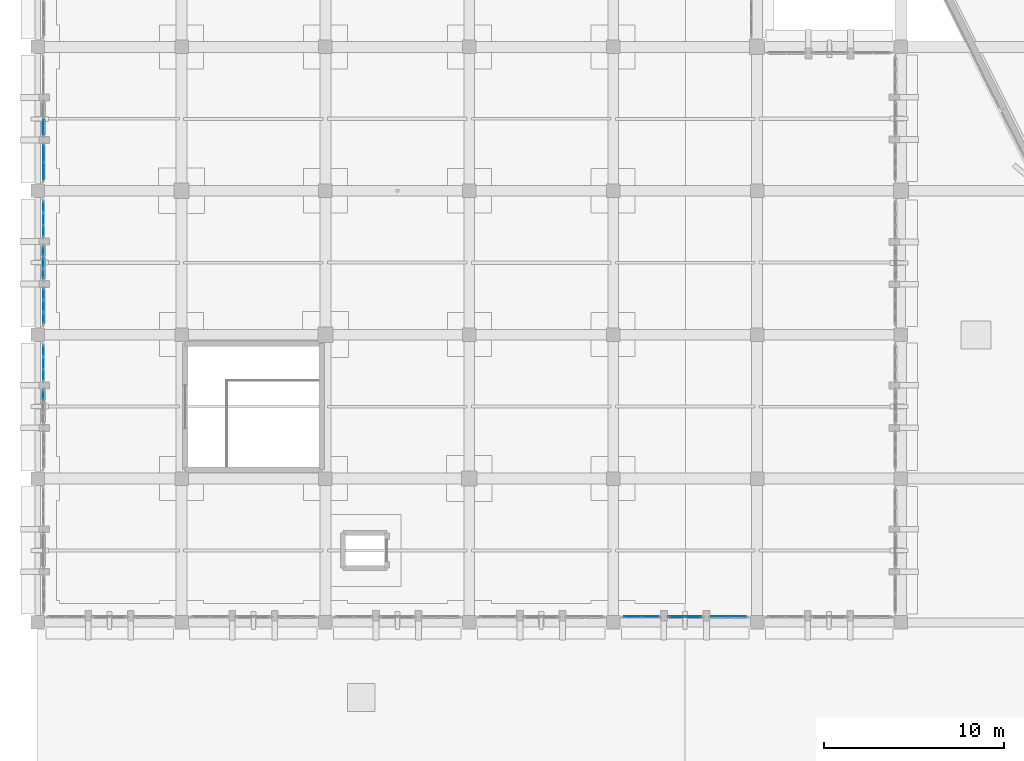
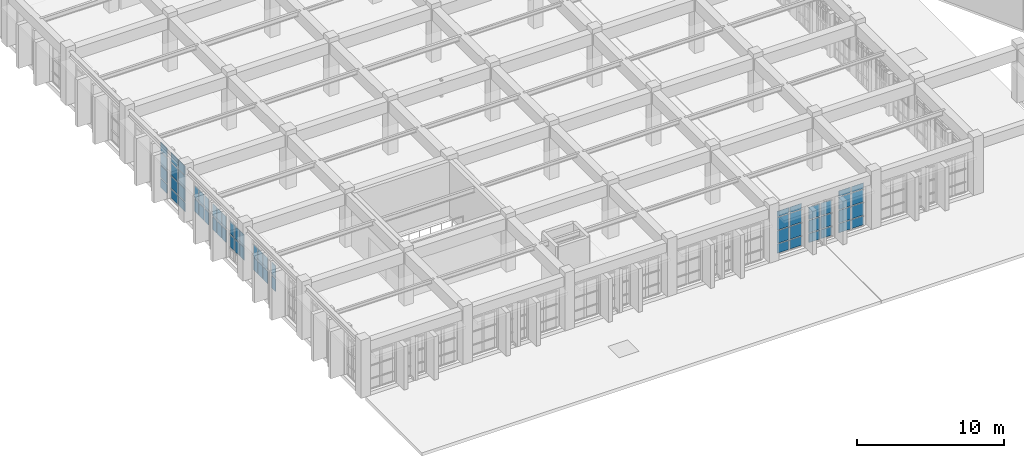
# One storey, part 86 of 155: 60 plates, 10 elements without a shape of their own.
"""IFC4 building model written with IfcOpenShell, lengths in metres."""

from ifc_helpers import new_model, si_unit, direction, frame, origin, origin_2d, place, context, subcontext, project, spatial, rectangle, extrude, material, layer, layer_set, type_object, element, aggregate, save


model = new_model("IFC4")

# Units and contexts
model_context = context("Model", 3, precision=1e-05, world=origin(), true_north=direction((0.0, 1.0)))
body_context = subcontext(model_context, "Body", "Model", "MODEL_VIEW")
ifc_project = project(units=[si_unit("LENGTHUNIT", "METRE"), si_unit("AREAUNIT", "SQUARE_METRE"), si_unit("VOLUMEUNIT", "CUBIC_METRE"), si_unit("PLANEANGLEUNIT", "RADIAN"), si_unit("MASSUNIT", "GRAM", prefix="KILO")], contexts=[model_context])

# Site, building, storey
site_placement = place(None, origin())
site = spatial("IfcSite", under=ifc_project, at=site_placement, CompositionType="ELEMENT")
building_placement = place(site_placement, origin())
building = spatial("IfcBuilding", under=site, at=building_placement, Name="Tazarka Park Arena", CompositionType="ELEMENT")
storey_placement = place(building_placement, frame((0.0, 0.0, 5.39990234375)))
storey = spatial("IfcBuildingStorey", under=building, at=storey_placement, Name="L01", CompositionType="ELEMENT", Elevation=5.39990234375)

# Curtain wall, plates
ifc_material_1 = material(Name="Aluminium and low-e glass", Category="aluminium")
ifc_layer_1 = layer(ifc_material_1, 0.179931640625, Name="Aluminium and low-e glass")
ifc_layer_set_1 = layer_set([ifc_layer_1], Name="Aluminium and low-e glass")
curtain_wall_type_1 = type_object("IfcCurtainWallType", Name="CW-03", PredefinedType="NOTDEFINED", material=ifc_layer_set_1)
curtain_wall_1_placement = place(storey_placement, origin())
curtain_wall_1 = element("IfcCurtainWall", 1, at=curtain_wall_1_placement, inside=storey, type_object=curtain_wall_type_1, Name="Curtain Wall CWA-L01-063", PredefinedType="NOTDEFINED")
ifc_material_2 = material(Name="Double low-e insulated glazing", Category="glass")
ifc_layer_2 = layer(ifc_material_2, 0.028076171875, Name="Double low-e insulated glazing")
ifc_layer_set_2 = layer_set([ifc_layer_2], Name="Double low-e insulated glazing")
plate_type_1 = type_object("IfcPlateType", Name="CWP-01", PredefinedType="CURTAIN_PANEL", material=ifc_layer_set_2)
plate_1_placement = place(storey_placement, frame((0.320068359375, 29.750244140625, 0.8828125), z_axis=(0.0, 0.0, 1.0), x_axis=(0.0, 1.0, 0.0)))
plate_1 = element("IfcPlate", 2, at=plate_1_placement, type_object=plate_type_1, Name="CW-03 panel 1.2", PredefinedType="CURTAIN_PANEL", context=body_context, shape_type="SweptSolid", body=[
    extrude(rectangle(XDim=0.5869140625, YDim=0.028076171875, at=origin_2d()), origin(), (0.0, 0.0, 1.0), 1.034912109375),
])
plate_2_placement = place(storey_placement, frame((0.320068359375, 29.750244140625, 1.982421875), z_axis=(0.0, 0.0, 1.0), x_axis=(0.0, 1.0, 0.0)))
plate_2 = element("IfcPlate", 3, at=plate_2_placement, type_object=plate_type_1, Name="CW-03 panel 1.3", PredefinedType="CURTAIN_PANEL", context=body_context, shape_type="SweptSolid", body=[
    extrude(rectangle(XDim=0.5869140625, YDim=0.028076171875, at=origin_2d()), origin(), (0.0, 0.0, 1.0), 1.034912109375),
])
plate_3_placement = place(storey_placement, frame((0.320068359375, 30.41845703125, 0.8828125), z_axis=(0.0, 0.0, 1.0), x_axis=(0.0, 1.0, 0.0)))
plate_3 = element("IfcPlate", 4, at=plate_3_placement, type_object=plate_type_1, Name="CW-03 panel 2.2", PredefinedType="CURTAIN_PANEL", context=body_context, shape_type="SweptSolid", body=[
    extrude(rectangle(XDim=0.619384765625, YDim=0.028076171875, at=origin_2d()), origin(), (0.0, 0.0, 1.0), 1.034912109375),
])
plate_4_placement = place(storey_placement, frame((0.320068359375, 30.41845703125, 1.982421875), z_axis=(0.0, 0.0, 1.0), x_axis=(0.0, 1.0, 0.0)))
plate_4 = element("IfcPlate", 5, at=plate_4_placement, type_object=plate_type_1, Name="CW-03 panel 2.3", PredefinedType="CURTAIN_PANEL", context=body_context, shape_type="SweptSolid", body=[
    extrude(rectangle(XDim=0.619384765625, YDim=0.028076171875, at=origin_2d()), origin(), (0.0, 0.0, 1.0), 1.034912109375),
])
plate_5_placement = place(storey_placement, frame((0.320068359375, 31.08642578125, 0.8828125), z_axis=(0.0, 0.0, 1.0), x_axis=(0.0, 1.0, 0.0)))
plate_5 = element("IfcPlate", 6, at=plate_5_placement, type_object=plate_type_1, Name="CW-03 panel 3.2", PredefinedType="CURTAIN_PANEL", context=body_context, shape_type="SweptSolid", body=[
    extrude(rectangle(XDim=0.5869140625, YDim=0.028076171875, at=origin_2d()), origin(), (0.0, 0.0, 1.0), 1.034912109375),
])
plate_6_placement = place(storey_placement, frame((0.320068359375, 31.08642578125, 1.982421875), z_axis=(0.0, 0.0, 1.0), x_axis=(0.0, 1.0, 0.0)))
plate_6 = element("IfcPlate", 7, at=plate_6_placement, type_object=plate_type_1, Name="CW-03 panel 3.3", PredefinedType="CURTAIN_PANEL", context=body_context, shape_type="SweptSolid", body=[
    extrude(rectangle(XDim=0.5869140625, YDim=0.028076171875, at=origin_2d()), origin(), (0.0, 0.0, 1.0), 1.034912109375),
])
aggregate(curtain_wall_1, [plate_1, plate_2, plate_3, plate_4, plate_5, plate_6])

ifc_material_3 = material(Name="Aluminium and low-e glass", Category="aluminium")
ifc_layer_3 = layer(ifc_material_3, 0.179931640625, Name="Aluminium and low-e glass")
ifc_layer_set_3 = layer_set([ifc_layer_3], Name="Aluminium and low-e glass")
curtain_wall_type_2 = type_object("IfcCurtainWallType", Name="CW-06", PredefinedType="NOTDEFINED", material=ifc_layer_set_3)
curtain_wall_2_placement = place(storey_placement, origin())
curtain_wall_2 = element("IfcCurtainWall", 8, at=curtain_wall_2_placement, inside=storey, type_object=curtain_wall_type_2, Name="Curtain Wall CWA-L01-066", PredefinedType="NOTDEFINED")
plate_7_placement = place(storey_placement, frame((0.320068359375, 21.750244140625, 0.8828125), z_axis=(0.0, 0.0, 1.0), x_axis=(0.0, 1.0, 0.0)))
plate_7 = element("IfcPlate", 9, at=plate_7_placement, type_object=plate_type_1, Name="CW-06 panel 1.2", PredefinedType="CURTAIN_PANEL", context=body_context, shape_type="SweptSolid", body=[
    extrude(rectangle(XDim=0.5869140625, YDim=0.028076171875, at=origin_2d()), origin(), (0.0, 0.0, 1.0), 1.034912109375),
])
plate_8_placement = place(storey_placement, frame((0.320068359375, 21.750244140625, 1.982421875), z_axis=(0.0, 0.0, 1.0), x_axis=(0.0, 1.0, 0.0)))
plate_8 = element("IfcPlate", 10, at=plate_8_placement, type_object=plate_type_1, Name="CW-06 panel 1.3", PredefinedType="CURTAIN_PANEL", context=body_context, shape_type="SweptSolid", body=[
    extrude(rectangle(XDim=0.5869140625, YDim=0.028076171875, at=origin_2d()), origin(), (0.0, 0.0, 1.0), 1.034912109375),
])
plate_9_placement = place(storey_placement, frame((0.320068359375, 22.41845703125, 0.8828125), z_axis=(0.0, 0.0, 1.0), x_axis=(0.0, 1.0, 0.0)))
plate_9 = element("IfcPlate", 11, at=plate_9_placement, type_object=plate_type_1, Name="CW-06 panel 2.2", PredefinedType="CURTAIN_PANEL", context=body_context, shape_type="SweptSolid", body=[
    extrude(rectangle(XDim=0.619384765625, YDim=0.028076171875, at=origin_2d()), origin(), (0.0, 0.0, 1.0), 1.034912109375),
])
plate_10_placement = place(storey_placement, frame((0.320068359375, 22.41845703125, 1.982421875), z_axis=(0.0, 0.0, 1.0), x_axis=(0.0, 1.0, 0.0)))
plate_10 = element("IfcPlate", 12, at=plate_10_placement, type_object=plate_type_1, Name="CW-06 panel 2.3", PredefinedType="CURTAIN_PANEL", context=body_context, shape_type="SweptSolid", body=[
    extrude(rectangle(XDim=0.619384765625, YDim=0.028076171875, at=origin_2d()), origin(), (0.0, 0.0, 1.0), 1.034912109375),
])
plate_11_placement = place(storey_placement, frame((0.320068359375, 23.08642578125, 0.8828125), z_axis=(0.0, 0.0, 1.0), x_axis=(0.0, 1.0, 0.0)))
plate_11 = element("IfcPlate", 13, at=plate_11_placement, type_object=plate_type_1, Name="CW-06 panel 3.2", PredefinedType="CURTAIN_PANEL", context=body_context, shape_type="SweptSolid", body=[
    extrude(rectangle(XDim=0.5869140625, YDim=0.028076171875, at=origin_2d()), origin(), (0.0, 0.0, 1.0), 1.034912109375),
])
plate_12_placement = place(storey_placement, frame((0.320068359375, 23.08642578125, 1.982421875), z_axis=(0.0, 0.0, 1.0), x_axis=(0.0, 1.0, 0.0)))
plate_12 = element("IfcPlate", 14, at=plate_12_placement, type_object=plate_type_1, Name="CW-06 panel 3.3", PredefinedType="CURTAIN_PANEL", context=body_context, shape_type="SweptSolid", body=[
    extrude(rectangle(XDim=0.5869140625, YDim=0.028076171875, at=origin_2d()), origin(), (0.0, 0.0, 1.0), 1.034912109375),
])
aggregate(curtain_wall_2, [plate_7, plate_8, plate_9, plate_10, plate_11, plate_12])

ifc_material_4 = material(Name="Aluminium and low-e glass", Category="aluminium")
ifc_layer_4 = layer(ifc_material_4, 0.179931640625, Name="Aluminium and low-e glass")
ifc_layer_set_4 = layer_set([ifc_layer_4], Name="Aluminium and low-e glass")
curtain_wall_type_3 = type_object("IfcCurtainWallType", Name="CW-24", PredefinedType="NOTDEFINED", material=ifc_layer_set_4)
curtain_wall_3_placement = place(storey_placement, origin())
curtain_wall_3 = element("IfcCurtainWall", 15, at=curtain_wall_3_placement, inside=storey, type_object=curtain_wall_type_3, Name="Curtain Wall CWA-L01-084", PredefinedType="NOTDEFINED")
plate_13_placement = place(storey_placement, frame((34.07861328125, 8.320068359375, 0.065185546875), z_axis=(0.0, 0.0, 1.0), x_axis=(-1.0, 0.0, 0.0)))
plate_13 = element("IfcPlate", 16, at=plate_13_placement, type_object=plate_type_1, Name="CW-24 panel 1.1", PredefinedType="CURTAIN_PANEL", context=body_context, shape_type="SweptSolid", body=[
    extrude(rectangle(XDim=0.92919921875, YDim=0.028076171875, at=origin_2d()), origin(), (0.0, 0.0, 1.0), 0.75244140625),
])
plate_14_placement = place(storey_placement, frame((34.07861328125, 8.320068359375, 0.8828125), z_axis=(0.0, 0.0, 1.0), x_axis=(-1.0, 0.0, 0.0)))
plate_14 = element("IfcPlate", 17, at=plate_14_placement, type_object=plate_type_1, Name="CW-24 panel 1.2", PredefinedType="CURTAIN_PANEL", context=body_context, shape_type="SweptSolid", body=[
    extrude(rectangle(XDim=0.92919921875, YDim=0.028076171875, at=origin_2d()), origin(), (0.0, 0.0, 1.0), 1.034912109375),
])
plate_15_placement = place(storey_placement, frame((34.07861328125, 8.320068359375, 1.982421875), z_axis=(0.0, 0.0, 1.0), x_axis=(-1.0, 0.0, 0.0)))
plate_15 = element("IfcPlate", 18, at=plate_15_placement, type_object=plate_type_1, Name="CW-24 panel 1.3", PredefinedType="CURTAIN_PANEL", context=body_context, shape_type="SweptSolid", body=[
    extrude(rectangle(XDim=0.92919921875, YDim=0.028076171875, at=origin_2d()), origin(), (0.0, 0.0, 1.0), 1.034912109375),
])
plate_16_placement = place(storey_placement, frame((34.07861328125, 8.320068359375, 3.08251953125), z_axis=(0.0, 0.0, 1.0), x_axis=(-1.0, 0.0, 0.0)))
plate_16 = element("IfcPlate", 19, at=plate_16_placement, type_object=plate_type_1, Name="CW-24 panel 1.4", PredefinedType="CURTAIN_PANEL", context=body_context, shape_type="SweptSolid", body=[
    extrude(rectangle(XDim=0.92919921875, YDim=0.028076171875, at=origin_2d()), origin(), (0.0, 0.0, 1.0), 0.452392578125),
])
plate_17_placement = place(storey_placement, frame((33.08447265625, 8.320068359375, 0.065185546875), z_axis=(0.0, 0.0, 1.0), x_axis=(-1.0, 0.0, 0.0)))
plate_17 = element("IfcPlate", 20, at=plate_17_placement, type_object=plate_type_1, Name="CW-24 panel 2.1", PredefinedType="CURTAIN_PANEL", context=body_context, shape_type="SweptSolid", body=[
    extrude(rectangle(XDim=0.92919921875, YDim=0.028076171875, at=origin_2d()), origin(), (0.0, 0.0, 1.0), 0.75244140625),
])
plate_18_placement = place(storey_placement, frame((33.08447265625, 8.320068359375, 0.8828125), z_axis=(0.0, 0.0, 1.0), x_axis=(-1.0, 0.0, 0.0)))
plate_18 = element("IfcPlate", 21, at=plate_18_placement, type_object=plate_type_1, Name="CW-24 panel 2.2", PredefinedType="CURTAIN_PANEL", context=body_context, shape_type="SweptSolid", body=[
    extrude(rectangle(XDim=0.92919921875, YDim=0.028076171875, at=origin_2d()), origin(), (0.0, 0.0, 1.0), 1.034912109375),
])
plate_19_placement = place(storey_placement, frame((33.08447265625, 8.320068359375, 1.982421875), z_axis=(0.0, 0.0, 1.0), x_axis=(-1.0, 0.0, 0.0)))
plate_19 = element("IfcPlate", 22, at=plate_19_placement, type_object=plate_type_1, Name="CW-24 panel 2.3", PredefinedType="CURTAIN_PANEL", context=body_context, shape_type="SweptSolid", body=[
    extrude(rectangle(XDim=0.92919921875, YDim=0.028076171875, at=origin_2d()), origin(), (0.0, 0.0, 1.0), 1.034912109375),
])
plate_20_placement = place(storey_placement, frame((33.08447265625, 8.320068359375, 3.08251953125), z_axis=(0.0, 0.0, 1.0), x_axis=(-1.0, 0.0, 0.0)))
plate_20 = element("IfcPlate", 23, at=plate_20_placement, type_object=plate_type_1, Name="CW-24 panel 2.4", PredefinedType="CURTAIN_PANEL", context=body_context, shape_type="SweptSolid", body=[
    extrude(rectangle(XDim=0.92919921875, YDim=0.028076171875, at=origin_2d()), origin(), (0.0, 0.0, 1.0), 0.452392578125),
])
aggregate(curtain_wall_3, [plate_13, plate_14, plate_15, plate_16, plate_17, plate_18, plate_19, plate_20])

ifc_material_5 = material(Name="Aluminium and low-e glass", Category="aluminium")
ifc_layer_5 = layer(ifc_material_5, 0.179931640625, Name="Aluminium and low-e glass")
ifc_layer_set_5 = layer_set([ifc_layer_5], Name="Aluminium and low-e glass")
curtain_wall_type_4 = type_object("IfcCurtainWallType", Name="CW-01", PredefinedType="NOTDEFINED", material=ifc_layer_set_5)
curtain_wall_4_placement = place(storey_placement, origin())
curtain_wall_4 = element("IfcCurtainWall", 24, at=curtain_wall_4_placement, inside=storey, type_object=curtain_wall_type_4, Name="Curtain Wall CWA-L01-061", PredefinedType="NOTDEFINED")
ifc_material_6 = material(Name="Triple acoustic solar glazing", Category="glass")
ifc_layer_6 = layer(ifc_material_6, 0.031982421875, Name="Triple acoustic solar glazing")
ifc_layer_set_6 = layer_set([ifc_layer_6], Name="Triple acoustic solar glazing")
plate_type_2 = type_object("IfcPlateType", Name="CWP-02", PredefinedType="CURTAIN_PANEL", material=ifc_layer_set_6)
plate_21_placement = place(storey_placement, frame((0.320068359375, 24.91357421875, 0.8828125), z_axis=(0.0, 0.0, 1.0), x_axis=(0.0, 1.0, 0.0)))
plate_21 = element("IfcPlate", 25, at=plate_21_placement, type_object=plate_type_2, Name="CW-01 panel 1.2", PredefinedType="CURTAIN_PANEL", context=body_context, shape_type="SweptSolid", body=[
    extrude(rectangle(XDim=0.5869140625, YDim=0.031982421875, at=origin_2d()), origin(), (0.0, 0.0, 1.0), 1.034912109375),
])
plate_22_placement = place(storey_placement, frame((0.320068359375, 24.91357421875, 1.982421875), z_axis=(0.0, 0.0, 1.0), x_axis=(0.0, 1.0, 0.0)))
plate_22 = element("IfcPlate", 26, at=plate_22_placement, type_object=plate_type_2, Name="CW-01 panel 1.3", PredefinedType="CURTAIN_PANEL", context=body_context, shape_type="SweptSolid", body=[
    extrude(rectangle(XDim=0.5869140625, YDim=0.031982421875, at=origin_2d()), origin(), (0.0, 0.0, 1.0), 1.034912109375),
])
plate_23_placement = place(storey_placement, frame((0.320068359375, 25.58154296875, 0.8828125), z_axis=(0.0, 0.0, 1.0), x_axis=(0.0, 1.0, 0.0)))
plate_23 = element("IfcPlate", 27, at=plate_23_placement, type_object=plate_type_2, Name="CW-01 panel 2.2", PredefinedType="CURTAIN_PANEL", context=body_context, shape_type="SweptSolid", body=[
    extrude(rectangle(XDim=0.619384765625, YDim=0.031982421875, at=origin_2d()), origin(), (0.0, 0.0, 1.0), 1.034912109375),
])
plate_24_placement = place(storey_placement, frame((0.320068359375, 25.58154296875, 1.982421875), z_axis=(0.0, 0.0, 1.0), x_axis=(0.0, 1.0, 0.0)))
plate_24 = element("IfcPlate", 28, at=plate_24_placement, type_object=plate_type_2, Name="CW-01 panel 2.3", PredefinedType="CURTAIN_PANEL", context=body_context, shape_type="SweptSolid", body=[
    extrude(rectangle(XDim=0.619384765625, YDim=0.031982421875, at=origin_2d()), origin(), (0.0, 0.0, 1.0), 1.034912109375),
])
plate_25_placement = place(storey_placement, frame((0.320068359375, 26.249755859375, 0.8828125), z_axis=(0.0, 0.0, 1.0), x_axis=(0.0, 1.0, 0.0)))
plate_25 = element("IfcPlate", 29, at=plate_25_placement, type_object=plate_type_2, Name="CW-01 panel 3.2", PredefinedType="CURTAIN_PANEL", context=body_context, shape_type="SweptSolid", body=[
    extrude(rectangle(XDim=0.5869140625, YDim=0.031982421875, at=origin_2d()), origin(), (0.0, 0.0, 1.0), 1.034912109375),
])
plate_26_placement = place(storey_placement, frame((0.320068359375, 26.249755859375, 1.982421875), z_axis=(0.0, 0.0, 1.0), x_axis=(0.0, 1.0, 0.0)))
plate_26 = element("IfcPlate", 30, at=plate_26_placement, type_object=plate_type_2, Name="CW-01 panel 3.3", PredefinedType="CURTAIN_PANEL", context=body_context, shape_type="SweptSolid", body=[
    extrude(rectangle(XDim=0.5869140625, YDim=0.031982421875, at=origin_2d()), origin(), (0.0, 0.0, 1.0), 1.034912109375),
])
aggregate(curtain_wall_4, [plate_21, plate_22, plate_23, plate_24, plate_25, plate_26])

ifc_material_7 = material(Name="Aluminium and low-e glass", Category="aluminium")
ifc_layer_7 = layer(ifc_material_7, 0.179931640625, Name="Aluminium and low-e glass")
ifc_layer_set_7 = layer_set([ifc_layer_7], Name="Aluminium and low-e glass")
curtain_wall_type_5 = type_object("IfcCurtainWallType", Name="CW-22", PredefinedType="NOTDEFINED", material=ifc_layer_set_7)
curtain_wall_5_placement = place(storey_placement, origin())
curtain_wall_5 = element("IfcCurtainWall", 31, at=curtain_wall_5_placement, inside=storey, type_object=curtain_wall_type_5, Name="Curtain Wall CWA-L01-082", PredefinedType="NOTDEFINED")
plate_27_placement = place(storey_placement, frame((38.91552734375, 8.320068359375, 0.065185546875), z_axis=(0.0, 0.0, 1.0), x_axis=(-1.0, 0.0, 0.0)))
plate_27 = element("IfcPlate", 32, at=plate_27_placement, type_object=plate_type_2, Name="CW-22 panel 1.1", PredefinedType="CURTAIN_PANEL", context=body_context, shape_type="SweptSolid", body=[
    extrude(rectangle(XDim=0.92919921875, YDim=0.031982421875, at=origin_2d()), origin(), (0.0, 0.0, 1.0), 0.75244140625),
])
plate_28_placement = place(storey_placement, frame((38.91552734375, 8.320068359375, 0.8828125), z_axis=(0.0, 0.0, 1.0), x_axis=(-1.0, 0.0, 0.0)))
plate_28 = element("IfcPlate", 33, at=plate_28_placement, type_object=plate_type_2, Name="CW-22 panel 1.2", PredefinedType="CURTAIN_PANEL", context=body_context, shape_type="SweptSolid", body=[
    extrude(rectangle(XDim=0.92919921875, YDim=0.031982421875, at=origin_2d()), origin(), (0.0, 0.0, 1.0), 1.034912109375),
])
plate_29_placement = place(storey_placement, frame((38.91552734375, 8.320068359375, 1.982421875), z_axis=(0.0, 0.0, 1.0), x_axis=(-1.0, 0.0, 0.0)))
plate_29 = element("IfcPlate", 34, at=plate_29_placement, type_object=plate_type_2, Name="CW-22 panel 1.3", PredefinedType="CURTAIN_PANEL", context=body_context, shape_type="SweptSolid", body=[
    extrude(rectangle(XDim=0.92919921875, YDim=0.031982421875, at=origin_2d()), origin(), (0.0, 0.0, 1.0), 1.034912109375),
])
plate_30_placement = place(storey_placement, frame((38.91552734375, 8.320068359375, 3.08251953125), z_axis=(0.0, 0.0, 1.0), x_axis=(-1.0, 0.0, 0.0)))
plate_30 = element("IfcPlate", 35, at=plate_30_placement, type_object=plate_type_2, Name="CW-22 panel 1.4", PredefinedType="CURTAIN_PANEL", context=body_context, shape_type="SweptSolid", body=[
    extrude(rectangle(XDim=0.92919921875, YDim=0.031982421875, at=origin_2d()), origin(), (0.0, 0.0, 1.0), 0.452392578125),
])
plate_31_placement = place(storey_placement, frame((37.92138671875, 8.320068359375, 0.065185546875), z_axis=(0.0, 0.0, 1.0), x_axis=(-1.0, 0.0, 0.0)))
plate_31 = element("IfcPlate", 36, at=plate_31_placement, type_object=plate_type_2, Name="CW-22 panel 2.1", PredefinedType="CURTAIN_PANEL", context=body_context, shape_type="SweptSolid", body=[
    extrude(rectangle(XDim=0.92919921875, YDim=0.031982421875, at=origin_2d()), origin(), (0.0, 0.0, 1.0), 0.75244140625),
])
plate_32_placement = place(storey_placement, frame((37.92138671875, 8.320068359375, 0.8828125), z_axis=(0.0, 0.0, 1.0), x_axis=(-1.0, 0.0, 0.0)))
plate_32 = element("IfcPlate", 37, at=plate_32_placement, type_object=plate_type_2, Name="CW-22 panel 2.2", PredefinedType="CURTAIN_PANEL", context=body_context, shape_type="SweptSolid", body=[
    extrude(rectangle(XDim=0.92919921875, YDim=0.031982421875, at=origin_2d()), origin(), (0.0, 0.0, 1.0), 1.034912109375),
])
plate_33_placement = place(storey_placement, frame((37.92138671875, 8.320068359375, 1.982421875), z_axis=(0.0, 0.0, 1.0), x_axis=(-1.0, 0.0, 0.0)))
plate_33 = element("IfcPlate", 38, at=plate_33_placement, type_object=plate_type_2, Name="CW-22 panel 2.3", PredefinedType="CURTAIN_PANEL", context=body_context, shape_type="SweptSolid", body=[
    extrude(rectangle(XDim=0.92919921875, YDim=0.031982421875, at=origin_2d()), origin(), (0.0, 0.0, 1.0), 1.034912109375),
])
plate_34_placement = place(storey_placement, frame((37.92138671875, 8.320068359375, 3.08251953125), z_axis=(0.0, 0.0, 1.0), x_axis=(-1.0, 0.0, 0.0)))
plate_34 = element("IfcPlate", 39, at=plate_34_placement, type_object=plate_type_2, Name="CW-22 panel 2.4", PredefinedType="CURTAIN_PANEL", context=body_context, shape_type="SweptSolid", body=[
    extrude(rectangle(XDim=0.92919921875, YDim=0.031982421875, at=origin_2d()), origin(), (0.0, 0.0, 1.0), 0.452392578125),
])
aggregate(curtain_wall_5, [plate_27, plate_28, plate_29, plate_30, plate_31, plate_32, plate_33, plate_34])

ifc_material_8 = material(Name="Aluminium and low-e glass", Category="aluminium")
ifc_layer_8 = layer(ifc_material_8, 0.179931640625, Name="Aluminium and low-e glass")
ifc_layer_set_8 = layer_set([ifc_layer_8], Name="Aluminium and low-e glass")
curtain_wall_type_6 = type_object("IfcCurtainWallType", Name="CW-25", PredefinedType="NOTDEFINED", material=ifc_layer_set_8)
curtain_wall_6_placement = place(storey_placement, origin())
curtain_wall_6 = element("IfcCurtainWall", 40, at=curtain_wall_6_placement, inside=storey, type_object=curtain_wall_type_6, Name="Curtain Wall CWA-L01-145", PredefinedType="NOTDEFINED")
plate_35_placement = place(storey_placement, frame((0.320068359375, 33.08447265625, 0.065185546875), z_axis=(0.0, 0.0, 1.0), x_axis=(0.0, 1.0, 0.0)))
plate_35 = element("IfcPlate", 41, at=plate_35_placement, type_object=plate_type_2, Name="CW-25 panel 1.1", PredefinedType="CURTAIN_PANEL", context=body_context, shape_type="SweptSolid", body=[
    extrude(rectangle(XDim=0.92919921875, YDim=0.031982421875, at=origin_2d()), origin(), (0.0, 0.0, 1.0), 0.75244140625),
])
plate_36_placement = place(storey_placement, frame((0.320068359375, 33.08447265625, 0.8828125), z_axis=(0.0, 0.0, 1.0), x_axis=(0.0, 1.0, 0.0)))
plate_36 = element("IfcPlate", 42, at=plate_36_placement, type_object=plate_type_2, Name="CW-25 panel 1.2", PredefinedType="CURTAIN_PANEL", context=body_context, shape_type="SweptSolid", body=[
    extrude(rectangle(XDim=0.92919921875, YDim=0.031982421875, at=origin_2d()), origin(), (0.0, 0.0, 1.0), 1.034912109375),
])
plate_37_placement = place(storey_placement, frame((0.320068359375, 33.08447265625, 1.982421875), z_axis=(0.0, 0.0, 1.0), x_axis=(0.0, 1.0, 0.0)))
plate_37 = element("IfcPlate", 43, at=plate_37_placement, type_object=plate_type_2, Name="CW-25 panel 1.3", PredefinedType="CURTAIN_PANEL", context=body_context, shape_type="SweptSolid", body=[
    extrude(rectangle(XDim=0.92919921875, YDim=0.031982421875, at=origin_2d()), origin(), (0.0, 0.0, 1.0), 1.034912109375),
])
plate_38_placement = place(storey_placement, frame((0.320068359375, 33.08447265625, 3.08251953125), z_axis=(0.0, 0.0, 1.0), x_axis=(0.0, 1.0, 0.0)))
plate_38 = element("IfcPlate", 44, at=plate_38_placement, type_object=plate_type_2, Name="CW-25 panel 1.4", PredefinedType="CURTAIN_PANEL", context=body_context, shape_type="SweptSolid", body=[
    extrude(rectangle(XDim=0.92919921875, YDim=0.031982421875, at=origin_2d()), origin(), (0.0, 0.0, 1.0), 0.762451171875),
])
plate_39_placement = place(storey_placement, frame((0.320068359375, 34.07861328125, 0.065185546875), z_axis=(0.0, 0.0, 1.0), x_axis=(0.0, 1.0, 0.0)))
plate_39 = element("IfcPlate", 45, at=plate_39_placement, type_object=plate_type_2, Name="CW-25 panel 2.1", PredefinedType="CURTAIN_PANEL", context=body_context, shape_type="SweptSolid", body=[
    extrude(rectangle(XDim=0.92919921875, YDim=0.031982421875, at=origin_2d()), origin(), (0.0, 0.0, 1.0), 0.75244140625),
])
plate_40_placement = place(storey_placement, frame((0.320068359375, 34.07861328125, 0.8828125), z_axis=(0.0, 0.0, 1.0), x_axis=(0.0, 1.0, 0.0)))
plate_40 = element("IfcPlate", 46, at=plate_40_placement, type_object=plate_type_2, Name="CW-25 panel 2.2", PredefinedType="CURTAIN_PANEL", context=body_context, shape_type="SweptSolid", body=[
    extrude(rectangle(XDim=0.92919921875, YDim=0.031982421875, at=origin_2d()), origin(), (0.0, 0.0, 1.0), 1.034912109375),
])
plate_41_placement = place(storey_placement, frame((0.320068359375, 34.07861328125, 1.982421875), z_axis=(0.0, 0.0, 1.0), x_axis=(0.0, 1.0, 0.0)))
plate_41 = element("IfcPlate", 47, at=plate_41_placement, type_object=plate_type_2, Name="CW-25 panel 2.3", PredefinedType="CURTAIN_PANEL", context=body_context, shape_type="SweptSolid", body=[
    extrude(rectangle(XDim=0.92919921875, YDim=0.031982421875, at=origin_2d()), origin(), (0.0, 0.0, 1.0), 1.034912109375),
])
plate_42_placement = place(storey_placement, frame((0.320068359375, 34.07861328125, 3.08251953125), z_axis=(0.0, 0.0, 1.0), x_axis=(0.0, 1.0, 0.0)))
plate_42 = element("IfcPlate", 48, at=plate_42_placement, type_object=plate_type_2, Name="CW-25 panel 2.4", PredefinedType="CURTAIN_PANEL", context=body_context, shape_type="SweptSolid", body=[
    extrude(rectangle(XDim=0.92919921875, YDim=0.031982421875, at=origin_2d()), origin(), (0.0, 0.0, 1.0), 0.762451171875),
])
aggregate(curtain_wall_6, [plate_35, plate_36, plate_37, plate_38, plate_39, plate_40, plate_41, plate_42])

ifc_material_9 = material(Name="Aluminium and low-e glass", Category="aluminium")
ifc_layer_9 = layer(ifc_material_9, 0.179931640625, Name="Aluminium and low-e glass")
ifc_layer_set_9 = layer_set([ifc_layer_9], Name="Aluminium and low-e glass")
curtain_wall_type_7 = type_object("IfcCurtainWallType", Name="CW-02", PredefinedType="NOTDEFINED", material=ifc_layer_set_9)
curtain_wall_7_placement = place(storey_placement, origin())
curtain_wall_7 = element("IfcCurtainWall", 49, at=curtain_wall_7_placement, inside=storey, type_object=curtain_wall_type_7, Name="Curtain Wall CWA-L01-062", PredefinedType="NOTDEFINED")
ifc_material_10 = material(Name="Insulated aluminium spandrel panel", Category="aluminium")
ifc_layer_10 = layer(ifc_material_10, 0.035888671875, Name="Insulated aluminium spandrel panel")
ifc_layer_set_10 = layer_set([ifc_layer_10], Name="Insulated aluminium spandrel panel")
plate_type_3 = type_object("IfcPlateType", Name="CWP-03", PredefinedType="CURTAIN_PANEL", material=ifc_layer_set_10)
plate_43_placement = place(storey_placement, frame((0.320068359375, 27.370849609375, 0.8876953125), z_axis=(0.0, 0.0, 1.0), x_axis=(0.0, 1.0, 0.0)))
plate_43 = element("IfcPlate", 50, at=plate_43_placement, type_object=plate_type_3, Name="CW-02 panel 1.2", PredefinedType="CURTAIN_PANEL", context=body_context, shape_type="SweptSolid", body=[
    extrude(rectangle(XDim=0.535400390625, YDim=0.035888671875, at=origin_2d()), origin(), (0.0, 0.0, 1.0), 1.02490234375),
])
plate_44_placement = place(storey_placement, frame((0.320068359375, 27.370849609375, 1.987548828125), z_axis=(0.0, 0.0, 1.0), x_axis=(0.0, 1.0, 0.0)))
plate_44 = element("IfcPlate", 51, at=plate_44_placement, type_object=plate_type_3, Name="CW-02 panel 1.3", PredefinedType="CURTAIN_PANEL", context=body_context, shape_type="SweptSolid", body=[
    extrude(rectangle(XDim=0.535400390625, YDim=0.035888671875, at=origin_2d()), origin(), (0.0, 0.0, 1.0), 1.02490234375),
])
plate_45_placement = place(storey_placement, frame((0.320068359375, 28.0, 0.8876953125), z_axis=(0.0, 0.0, 1.0), x_axis=(0.0, 1.0, 0.0)))
plate_45 = element("IfcPlate", 52, at=plate_45_placement, type_object=plate_type_3, Name="CW-02 panel 2.2", PredefinedType="CURTAIN_PANEL", context=body_context, shape_type="SweptSolid", body=[
    extrude(rectangle(XDim=0.57275390625, YDim=0.035888671875, at=origin_2d()), origin(), (0.0, 0.0, 1.0), 1.02490234375),
])
plate_46_placement = place(storey_placement, frame((0.320068359375, 28.0, 1.987548828125), z_axis=(0.0, 0.0, 1.0), x_axis=(0.0, 1.0, 0.0)))
plate_46 = element("IfcPlate", 53, at=plate_46_placement, type_object=plate_type_3, Name="CW-02 panel 2.3", PredefinedType="CURTAIN_PANEL", context=body_context, shape_type="SweptSolid", body=[
    extrude(rectangle(XDim=0.57275390625, YDim=0.035888671875, at=origin_2d()), origin(), (0.0, 0.0, 1.0), 1.02490234375),
])
plate_47_placement = place(storey_placement, frame((0.320068359375, 28.629150390625, 0.8876953125), z_axis=(0.0, 0.0, 1.0), x_axis=(0.0, 1.0, 0.0)))
plate_47 = element("IfcPlate", 54, at=plate_47_placement, type_object=plate_type_3, Name="CW-02 panel 3.2", PredefinedType="CURTAIN_PANEL", context=body_context, shape_type="SweptSolid", body=[
    extrude(rectangle(XDim=0.535400390625, YDim=0.035888671875, at=origin_2d()), origin(), (0.0, 0.0, 1.0), 1.02490234375),
])
plate_48_placement = place(storey_placement, frame((0.320068359375, 28.629150390625, 1.987548828125), z_axis=(0.0, 0.0, 1.0), x_axis=(0.0, 1.0, 0.0)))
plate_48 = element("IfcPlate", 55, at=plate_48_placement, type_object=plate_type_3, Name="CW-02 panel 3.3", PredefinedType="CURTAIN_PANEL", context=body_context, shape_type="SweptSolid", body=[
    extrude(rectangle(XDim=0.535400390625, YDim=0.035888671875, at=origin_2d()), origin(), (0.0, 0.0, 1.0), 1.02490234375),
])
aggregate(curtain_wall_7, [plate_43, plate_44, plate_45, plate_46, plate_47, plate_48])

ifc_material_11 = material(Name="Aluminium and low-e glass", Category="aluminium")
ifc_layer_11 = layer(ifc_material_11, 0.179931640625, Name="Aluminium and low-e glass")
ifc_layer_set_11 = layer_set([ifc_layer_11], Name="Aluminium and low-e glass")
curtain_wall_type_8 = type_object("IfcCurtainWallType", Name="CW-05", PredefinedType="NOTDEFINED", material=ifc_layer_set_11)
curtain_wall_8_placement = place(storey_placement, origin())
curtain_wall_8 = element("IfcCurtainWall", 56, at=curtain_wall_8_placement, inside=storey, type_object=curtain_wall_type_8, Name="Curtain Wall CWA-L01-065", PredefinedType="NOTDEFINED")
plate_49_placement = place(storey_placement, frame((0.320068359375, 20.629150390625, 0.8876953125), z_axis=(0.0, 0.0, 1.0), x_axis=(0.0, 1.0, 0.0)))
plate_49 = element("IfcPlate", 57, at=plate_49_placement, type_object=plate_type_3, Name="CW-05 panel 3.2", PredefinedType="CURTAIN_PANEL", context=body_context, shape_type="SweptSolid", body=[
    extrude(rectangle(XDim=0.535400390625, YDim=0.035888671875, at=origin_2d()), origin(), (0.0, 0.0, 1.0), 1.02490234375),
])
plate_50_placement = place(storey_placement, frame((0.320068359375, 20.629150390625, 1.987548828125), z_axis=(0.0, 0.0, 1.0), x_axis=(0.0, 1.0, 0.0)))
plate_50 = element("IfcPlate", 58, at=plate_50_placement, type_object=plate_type_3, Name="CW-05 panel 3.3", PredefinedType="CURTAIN_PANEL", context=body_context, shape_type="SweptSolid", body=[
    extrude(rectangle(XDim=0.535400390625, YDim=0.035888671875, at=origin_2d()), origin(), (0.0, 0.0, 1.0), 1.02490234375),
])
aggregate(curtain_wall_8, [plate_49, plate_50])

ifc_material_12 = material(Name="Aluminium and low-e glass", Category="aluminium")
ifc_layer_12 = layer(ifc_material_12, 0.179931640625, Name="Aluminium and low-e glass")
ifc_layer_set_12 = layer_set([ifc_layer_12], Name="Aluminium and low-e glass")
curtain_wall_type_9 = type_object("IfcCurtainWallType", Name="CW-23", PredefinedType="NOTDEFINED", material=ifc_layer_set_12)
curtain_wall_9_placement = place(storey_placement, origin())
curtain_wall_9 = element("IfcCurtainWall", 59, at=curtain_wall_9_placement, inside=storey, type_object=curtain_wall_type_9, Name="Curtain Wall CWA-L01-083", PredefinedType="NOTDEFINED")
plate_51_placement = place(storey_placement, frame((36.467041015625, 8.320068359375, 0.0751953125), z_axis=(0.0, 0.0, 1.0), x_axis=(-1.0, 0.0, 0.0)))
plate_51 = element("IfcPlate", 60, at=plate_51_placement, type_object=plate_type_3, Name="CW-23 panel 1.1", PredefinedType="CURTAIN_PANEL", context=body_context, shape_type="SweptSolid", body=[
    extrude(rectangle(XDim=0.859130859375, YDim=0.035888671875, at=origin_2d()), origin(), (0.0, 0.0, 1.0), 0.737548828125),
])
plate_52_placement = place(storey_placement, frame((36.467041015625, 8.320068359375, 0.8876953125), z_axis=(0.0, 0.0, 1.0), x_axis=(-1.0, 0.0, 0.0)))
plate_52 = element("IfcPlate", 61, at=plate_52_placement, type_object=plate_type_3, Name="CW-23 panel 1.2", PredefinedType="CURTAIN_PANEL", context=body_context, shape_type="SweptSolid", body=[
    extrude(rectangle(XDim=0.859130859375, YDim=0.035888671875, at=origin_2d()), origin(), (0.0, 0.0, 1.0), 1.02490234375),
])
plate_53_placement = place(storey_placement, frame((36.467041015625, 8.320068359375, 1.987548828125), z_axis=(0.0, 0.0, 1.0), x_axis=(-1.0, 0.0, 0.0)))
plate_53 = element("IfcPlate", 62, at=plate_53_placement, type_object=plate_type_3, Name="CW-23 panel 1.3", PredefinedType="CURTAIN_PANEL", context=body_context, shape_type="SweptSolid", body=[
    extrude(rectangle(XDim=0.859130859375, YDim=0.035888671875, at=origin_2d()), origin(), (0.0, 0.0, 1.0), 1.02490234375),
])
plate_54_placement = place(storey_placement, frame((35.532958984375, 8.320068359375, 0.0751953125), z_axis=(0.0, 0.0, 1.0), x_axis=(-1.0, 0.0, 0.0)))
plate_54 = element("IfcPlate", 63, at=plate_54_placement, type_object=plate_type_3, Name="CW-23 panel 2.1", PredefinedType="CURTAIN_PANEL", context=body_context, shape_type="SweptSolid", body=[
    extrude(rectangle(XDim=0.859130859375, YDim=0.035888671875, at=origin_2d()), origin(), (0.0, 0.0, 1.0), 0.737548828125),
])
plate_55_placement = place(storey_placement, frame((35.532958984375, 8.320068359375, 0.8876953125), z_axis=(0.0, 0.0, 1.0), x_axis=(-1.0, 0.0, 0.0)))
plate_55 = element("IfcPlate", 64, at=plate_55_placement, type_object=plate_type_3, Name="CW-23 panel 2.2", PredefinedType="CURTAIN_PANEL", context=body_context, shape_type="SweptSolid", body=[
    extrude(rectangle(XDim=0.859130859375, YDim=0.035888671875, at=origin_2d()), origin(), (0.0, 0.0, 1.0), 1.02490234375),
])
plate_56_placement = place(storey_placement, frame((35.532958984375, 8.320068359375, 1.987548828125), z_axis=(0.0, 0.0, 1.0), x_axis=(-1.0, 0.0, 0.0)))
plate_56 = element("IfcPlate", 65, at=plate_56_placement, type_object=plate_type_3, Name="CW-23 panel 2.3", PredefinedType="CURTAIN_PANEL", context=body_context, shape_type="SweptSolid", body=[
    extrude(rectangle(XDim=0.859130859375, YDim=0.035888671875, at=origin_2d()), origin(), (0.0, 0.0, 1.0), 1.02490234375),
])
aggregate(curtain_wall_9, [plate_51, plate_52, plate_53, plate_54, plate_55, plate_56])

ifc_material_13 = material(Name="Aluminium and low-e glass", Category="aluminium")
ifc_layer_13 = layer(ifc_material_13, 0.179931640625, Name="Aluminium and low-e glass")
ifc_layer_set_13 = layer_set([ifc_layer_13], Name="Aluminium and low-e glass")
curtain_wall_type_10 = type_object("IfcCurtainWallType", Name="CW-26", PredefinedType="NOTDEFINED", material=ifc_layer_set_13)
curtain_wall_10_placement = place(storey_placement, origin())
curtain_wall_10 = element("IfcCurtainWall", 66, at=curtain_wall_10_placement, inside=storey, type_object=curtain_wall_type_10, Name="Curtain Wall CWA-L01-146", PredefinedType="NOTDEFINED")
plate_57_placement = place(storey_placement, frame((0.320068359375, 35.532958984375, 0.0751953125), z_axis=(0.0, 0.0, 1.0), x_axis=(0.0, 1.0, 0.0)))
plate_57 = element("IfcPlate", 67, at=plate_57_placement, type_object=plate_type_3, Name="CW-26 panel 1.1", PredefinedType="CURTAIN_PANEL", context=body_context, shape_type="SweptSolid", body=[
    extrude(rectangle(XDim=0.859130859375, YDim=0.035888671875, at=origin_2d()), origin(), (0.0, 0.0, 1.0), 0.737548828125),
])
plate_58_placement = place(storey_placement, frame((0.320068359375, 35.532958984375, 0.8876953125), z_axis=(0.0, 0.0, 1.0), x_axis=(0.0, 1.0, 0.0)))
plate_58 = element("IfcPlate", 68, at=plate_58_placement, type_object=plate_type_3, Name="CW-26 panel 1.2", PredefinedType="CURTAIN_PANEL", context=body_context, shape_type="SweptSolid", body=[
    extrude(rectangle(XDim=0.859130859375, YDim=0.035888671875, at=origin_2d()), origin(), (0.0, 0.0, 1.0), 1.02490234375),
])
plate_59_placement = place(storey_placement, frame((0.320068359375, 35.532958984375, 1.987548828125), z_axis=(0.0, 0.0, 1.0), x_axis=(0.0, 1.0, 0.0)))
plate_59 = element("IfcPlate", 69, at=plate_59_placement, type_object=plate_type_3, Name="CW-26 panel 1.3", PredefinedType="CURTAIN_PANEL", context=body_context, shape_type="SweptSolid", body=[
    extrude(rectangle(XDim=0.859130859375, YDim=0.035888671875, at=origin_2d()), origin(), (0.0, 0.0, 1.0), 1.02490234375),
])
plate_60_placement = place(storey_placement, frame((0.320068359375, 35.532958984375, 3.087646484375), z_axis=(0.0, 0.0, 1.0), x_axis=(0.0, 1.0, 0.0)))
plate_60 = element("IfcPlate", 70, at=plate_60_placement, type_object=plate_type_3, Name="CW-26 panel 1.4", PredefinedType="CURTAIN_PANEL", context=body_context, shape_type="SweptSolid", body=[
    extrude(rectangle(XDim=0.859130859375, YDim=0.035888671875, at=origin_2d()), origin(), (0.0, 0.0, 1.0), 0.74755859375),
])
aggregate(curtain_wall_10, [plate_57, plate_58, plate_59, plate_60])

save(model, "model.ifc")
